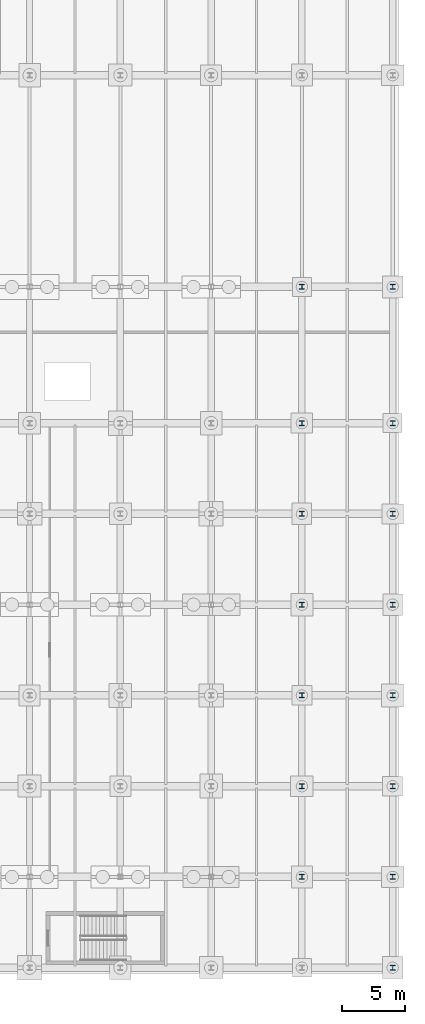
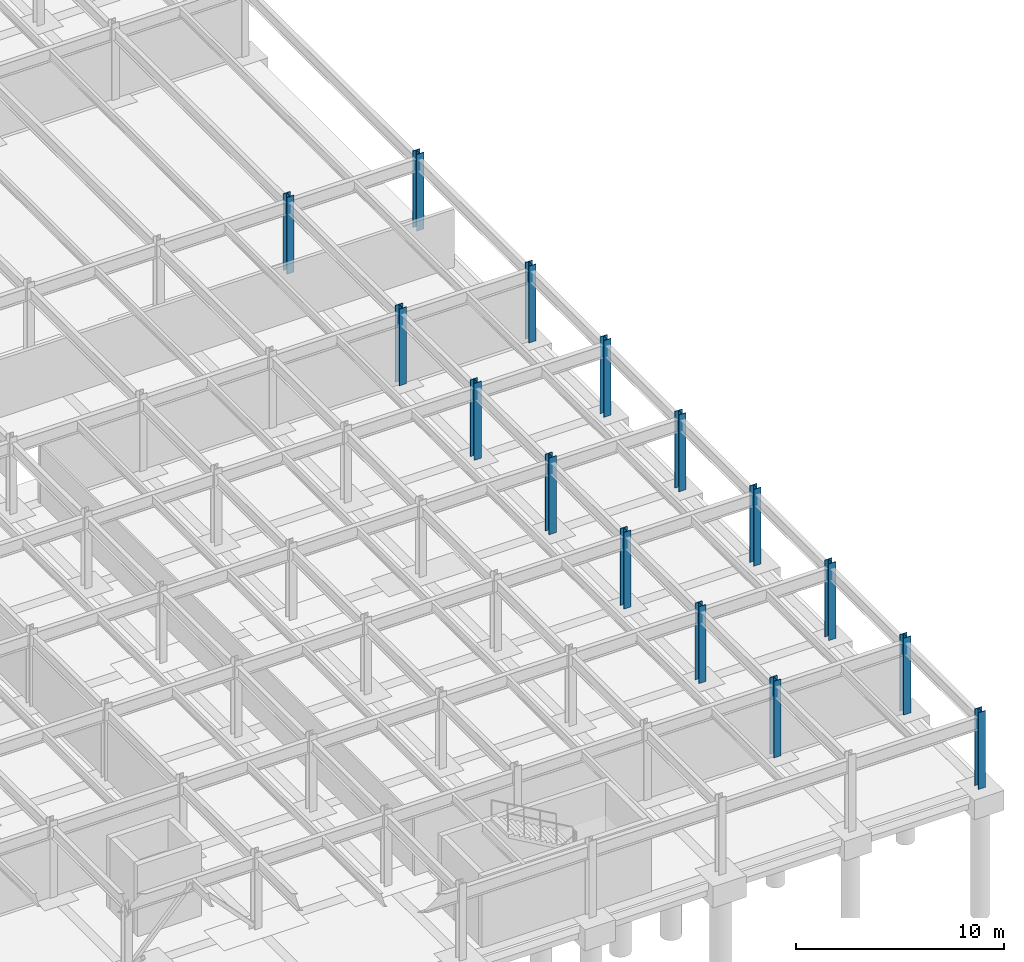
# One storey, part 24 of 54: 15 columns.
"""IFC4 building model written with IfcOpenShell, lengths in metres."""

from ifc_helpers import new_model, si_unit, direction, frame, origin, origin_2d, place, context, subcontext, project, spatial, i_section, extrude, material, material_profile, profile_set, type_object, element, save


model = new_model("IFC4")

# Units and contexts
model_context = context("Model", 3, precision=1e-05, world=origin(), true_north=direction((0.0, 1.0)))
body_context = subcontext(model_context, "Body", "Model", "MODEL_VIEW")
ifc_project = project(units=[si_unit("LENGTHUNIT", "METRE"), si_unit("AREAUNIT", "SQUARE_METRE"), si_unit("VOLUMEUNIT", "CUBIC_METRE"), si_unit("PLANEANGLEUNIT", "RADIAN"), si_unit("MASSUNIT", "GRAM", prefix="KILO")], contexts=[model_context])

# Site, building, storey
site_placement = place(None, origin())
site = spatial("IfcSite", under=ifc_project, at=site_placement, CompositionType="ELEMENT")
building_placement = place(site_placement, origin())
building = spatial("IfcBuilding", under=site, at=building_placement, Name="Vaelcorin Mobility Hub", CompositionType="ELEMENT")
storey_placement = place(building_placement, frame((0.0, 0.0, -4.5)))
storey = spatial("IfcBuildingStorey", under=building, at=storey_placement, Name="B1", CompositionType="ELEMENT", Elevation=-4.5)

# Columns
ifc_material = material(Name="Steel ASTM A992 Grade 50", Category="steel")
ifc_material_profile = material_profile(ifc_material, i_section(OverallWidth=0.39892578125, OverallDepth=0.39404296875, WebThickness=0.022705078125, FlangeThickness=0.03662109375, FilletRadius=0.014892578125, at=origin_2d()), Name="W14X193")
ifc_profile_set = profile_set([ifc_material_profile], Name="Steel ASTM A992 Grade 50")
column_type = type_object("IfcColumnType", Name="COL-W14X193", PredefinedType="COLUMN", material=ifc_profile_set)
for number, where, z_axis, x_axis, name in (
    (1, (196.800048828125, 13.199951171875, 0.0), (0.0, 0.0, 1.0), (1.0, 0.0, 0.0), "Column V5-X07Y02 B1"),
    (2, (196.800048828125, 20.39990234375, 0.0), (0.0, 0.0, 1.0), (1.0, 0.0, 0.0), "Column V5-X07Y03 B1"),
    (3, (196.800048828125, 27.60009765625, 0.0), (0.0, 0.0, 1.0), (1.0, 0.0, 0.0), "Column V5-X07Y04 B1"),
    (4, (196.800048828125, 34.800048828125, 0.0), (0.0, 0.0, 1.0), (1.0, 0.0, 0.0), "Column V5-X07Y05 B1"),
    (5, (196.800048828125, 42.0, 0.0), (0.0, 0.0, 1.0), (1.0, 0.0, 0.0), "Column V5-X07Y06 B1"),
    (6, (196.800048828125, 49.199951171875, 0.0), (0.0, 0.0, 1.0), (1.0, 0.0, 0.0), "Column V5-X07Y07 B1"),
    (7, (196.800048828125, 60.0, 0.0), (0.0, 0.0, 1.0), (1.0, 0.0, 0.0), "Column V5-X07Y08 B1"),
    (8, (204.0, 6.0, 0.0), (0.0, 0.0, 1.0), (1.0, 0.0, 0.0), "Column V5-X08Y01 B1"),
    (9, (204.0, 13.199951171875, 0.0), (0.0, 0.0, 1.0), (1.0, 0.0, 0.0), "Column V5-X08Y02 B1"),
    (10, (204.0, 20.39990234375, 0.0), (0.0, 0.0, 1.0), (1.0, 0.0, 0.0), "Column V5-X08Y03 B1"),
    (11, (204.0, 27.60009765625, 0.0), (0.0, 0.0, 1.0), (1.0, 0.0, 0.0), "Column V5-X08Y04 B1"),
    (12, (204.0, 34.800048828125, 0.0), (0.0, 0.0, 1.0), (1.0, 0.0, 0.0), "Column V5-X08Y05 B1"),
    (13, (204.0, 42.0, 0.0), (0.0, 0.0, 1.0), (1.0, 0.0, 0.0), "Column V5-X08Y06 B1"),
    (14, (204.0, 49.199951171875, 0.0), (0.0, 0.0, 1.0), (1.0, 0.0, 0.0), "Column V5-X08Y07 B1"),
    (15, (204.0, 60.0, 0.0), (0.0, 0.0, 1.0), (1.0, 0.0, 0.0), "Column V5-X08Y08 B1"),
):
    element("IfcColumn", number, at=place(storey_placement, frame(where, z_axis=z_axis, x_axis=x_axis)), inside=storey, type_object=column_type, Name=name, PredefinedType="COLUMN", context=body_context, shape_type="SweptSolid", body=[
        extrude(i_section(OverallWidth=0.39892578125, OverallDepth=0.39404296875, WebThickness=0.022705078125, FlangeThickness=0.03662109375, FilletRadius=0.014892578125, at=origin_2d()), origin(), (0.0, 0.0, 1.0), 4.5),
    ])

save(model, "model.ifc")
